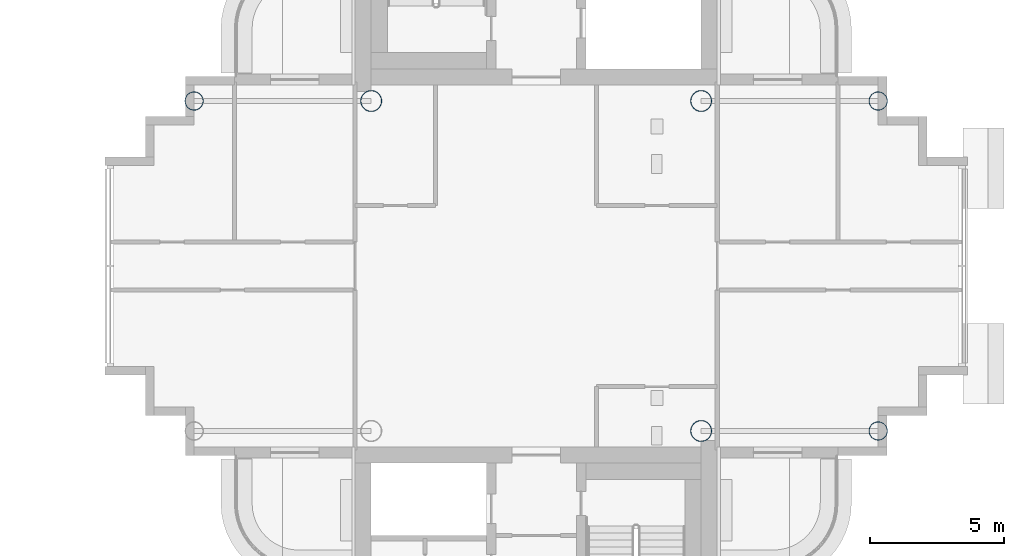
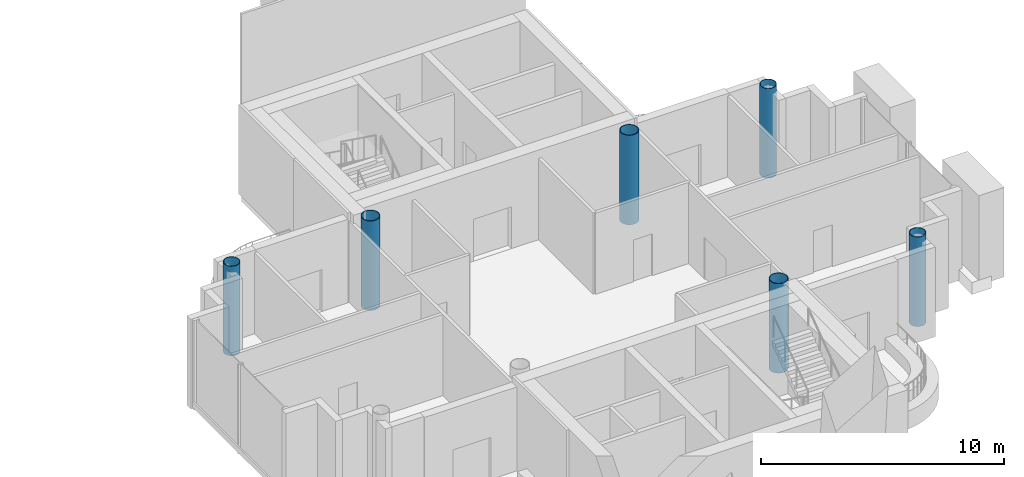
# One storey, part 2 of 20: 6 columns.
"""IFC4 building model written with IfcOpenShell, lengths in metres."""

from ifc_helpers import new_model, si_unit, direction, frame, origin, origin_2d, place, context, subcontext, project, spatial, hollow_circle, extrude, material, material_profile, profile_set, type_object, element, save


model = new_model("IFC4")

# Units and contexts
model_context = context("Model", 3, precision=1e-05, world=origin(), true_north=direction((0.0, 1.0)))
body_context = subcontext(model_context, "Body", "Model", "MODEL_VIEW")
ifc_project = project(units=[si_unit("LENGTHUNIT", "METRE"), si_unit("AREAUNIT", "SQUARE_METRE"), si_unit("VOLUMEUNIT", "CUBIC_METRE"), si_unit("PLANEANGLEUNIT", "RADIAN"), si_unit("MASSUNIT", "GRAM", prefix="KILO")], contexts=[model_context])

# Site, building, storey
site_placement = place(None, origin())
site = spatial("IfcSite", under=ifc_project, at=site_placement, CompositionType="ELEMENT")
building_placement = place(site_placement, origin())
building = spatial("IfcBuilding", under=site, at=building_placement, Name="Ipe Terrace Towers", CompositionType="ELEMENT")
storey_placement = place(building_placement, frame((0.0, 0.0, 242.39990234375)))
storey = spatial("IfcBuildingStorey", under=building, at=storey_placement, Name="L67", CompositionType="ELEMENT", Elevation=242.39990234375)

# Columns
ifc_material_1 = material(Name="Steel S355 tube with Concrete C60/75 fill", Category="concrete")
ifc_material_profile_1 = material_profile(ifc_material_1, hollow_circle(Radius=0.35009765625, WallThickness=0.02490234375, at=origin_2d()), Name="CHS-700x25")
ifc_profile_set_1 = profile_set([ifc_material_profile_1], Name="Steel S355 tube with Concrete C60/75 fill")
column_type_1 = type_object("IfcColumnType", Name="CH08 COLUMN CHS-700x25", PredefinedType="COLUMN", material=ifc_profile_set_1)
for number, where, z_axis, x_axis, name in (
    (1, (23.25, 6.14990234375, 0.0), (0.0, 0.0, 1.0), (1.0, 0.0, 0.0), "Column T2-C-B01"),
    (2, (48.75, -6.14990234375, 0.0), (0.0, 0.0, 1.0), (1.0, 0.0, 0.0), "Column T2-C-D01"),
    (3, (48.75, 6.14990234375, 0.0), (0.0, 0.0, 1.0), (1.0, 0.0, 0.0), "Column T2-C-D02"),
):
    element("IfcColumn", number, at=place(storey_placement, frame(where, z_axis=z_axis, x_axis=x_axis)), inside=storey, type_object=column_type_1, Name=name, PredefinedType="COLUMN", context=body_context, shape_type="SweptSolid", body=[
        extrude(hollow_circle(Radius=0.35009765625, WallThickness=0.02490234375, at=origin_2d()), origin(), (0.0, 0.0, 1.0), 4.5),
    ])
ifc_material_2 = material(Name="Steel S355 tube with Concrete C60/75 fill", Category="concrete")
ifc_material_profile_2 = material_profile(ifc_material_2, hollow_circle(Radius=0.39990234375, WallThickness=0.028076171875, at=origin_2d()), Name="CHS-800x28")
ifc_profile_set_2 = profile_set([ifc_material_profile_2], Name="Steel S355 tube with Concrete C60/75 fill")
column_type_2 = type_object("IfcColumnType", Name="CH09 COLUMN CHS-800x28", PredefinedType="COLUMN", material=ifc_profile_set_2)
for number, where, z_axis, x_axis, name in (
    (4, (42.14990234375, -6.14990234375, 0.0), (0.0, 0.0, 1.0), (1.0, 0.0, 0.0), "Column T2-C-E01"),
    (5, (42.14990234375, 6.14990234375, 0.0), (0.0, 0.0, 1.0), (1.0, 0.0, 0.0), "Column T2-C-E02"),
    (6, (29.85009765625, 6.14990234375, 0.0), (0.0, 0.0, 1.0), (1.0, 0.0, 0.0), "Column T2-C-E03"),
):
    element("IfcColumn", number, at=place(storey_placement, frame(where, z_axis=z_axis, x_axis=x_axis)), inside=storey, type_object=column_type_2, Name=name, PredefinedType="COLUMN", context=body_context, shape_type="SweptSolid", body=[
        extrude(hollow_circle(Radius=0.39990234375, WallThickness=0.028076171875, at=origin_2d()), origin(), (0.0, 0.0, 1.0), 4.5),
    ])

save(model, "model.ifc")
